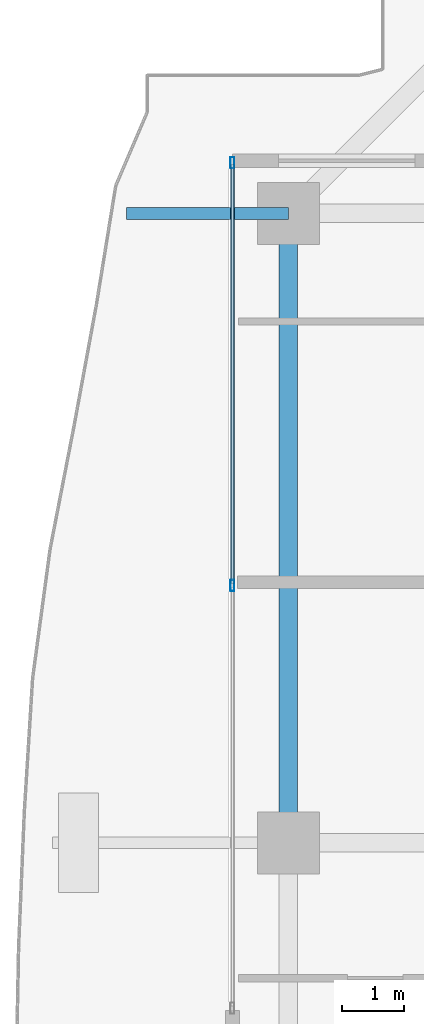
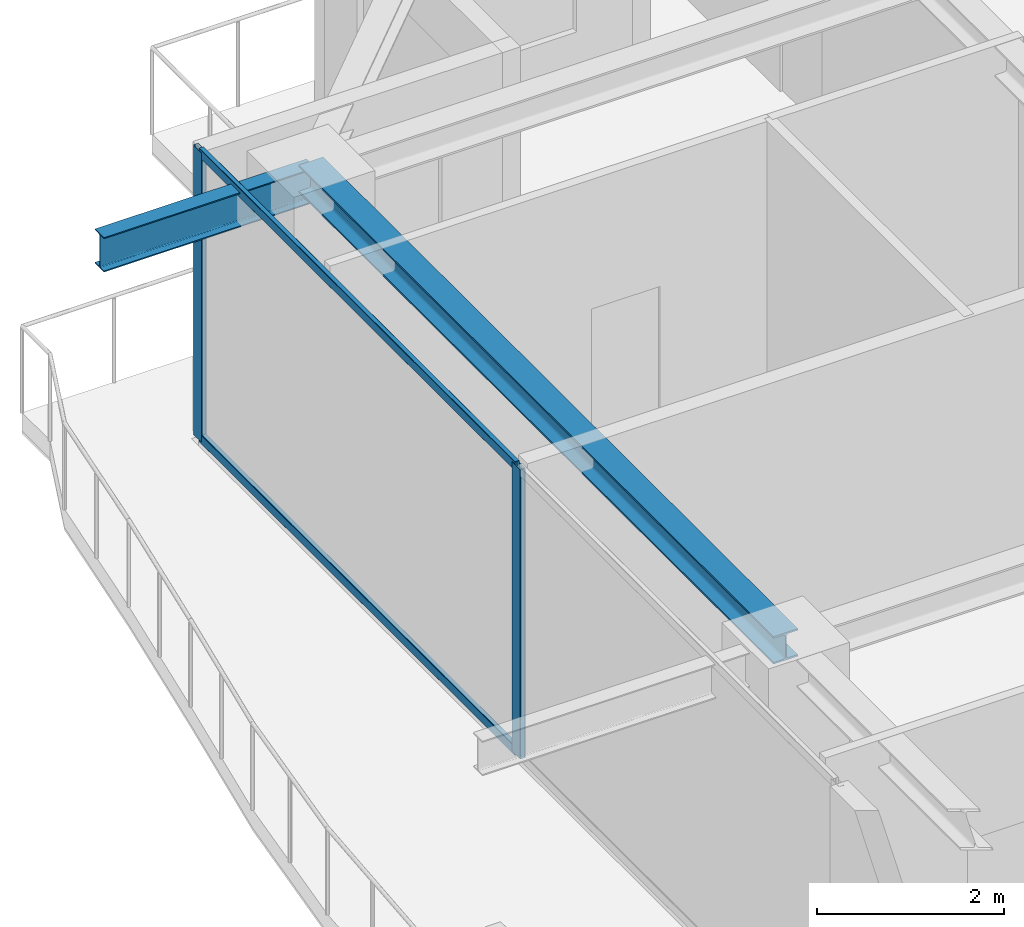
# One storey, part 16 of 37: 4 members, 2 beams, 1 element without a shape of its own.
"""IFC4 building model written with IfcOpenShell, lengths in metres."""

from ifc_helpers import new_model, si_unit, direction, frame, origin, origin_2d, place, context, subcontext, project, spatial, hollow_rectangle, i_section, extrude, source, transform, mapped, material, layer, layer_set, material_profile, profile_set, type_object, element, aggregate, save


model = new_model("IFC4")

# Units and contexts
model_context = context("Model", 3, precision=1e-05, world=origin(), true_north=direction((0.0, 1.0)))
body_context = subcontext(model_context, "Body", "Model", "MODEL_VIEW")
ifc_project = project(units=[si_unit("LENGTHUNIT", "METRE"), si_unit("AREAUNIT", "SQUARE_METRE"), si_unit("VOLUMEUNIT", "CUBIC_METRE"), si_unit("PLANEANGLEUNIT", "RADIAN"), si_unit("MASSUNIT", "GRAM", prefix="KILO")], contexts=[model_context])

# Site, building, storey
site_placement = place(None, origin())
site = spatial("IfcSite", under=ifc_project, at=site_placement, CompositionType="ELEMENT")
building_placement = place(site_placement, origin())
building = spatial("IfcBuilding", under=site, at=building_placement, Name="Serunith Strait Residences", CompositionType="ELEMENT")
storey_placement = place(building_placement, frame((0.0, 0.0, 317.75)))
storey = spatial("IfcBuildingStorey", under=building, at=storey_placement, Name="L79", CompositionType="ELEMENT", Elevation=317.75)

# Beams
ifc_material_1 = material(Name="Steel S355J2", Category="steel")
ifc_material_profile_1 = material_profile(ifc_material_1, i_section(OverallWidth=0.300048828125, OverallDepth=0.360107421875, WebThickness=0.012451171875, FlangeThickness=0.0224609375, FilletRadius=0.027099609375, at=origin_2d()), Name="HEB 360")
ifc_profile_set_1 = profile_set([ifc_material_profile_1], Name="Steel S355J2")
beam_type_1 = type_object("IfcBeamType", Name="BM-HEB360", PredefinedType="BEAM", material=ifc_profile_set_1)
shared_shape_1 = source(origin(), body_context, "Body", "SweptSolid", [
    extrude(i_section(OverallWidth=0.300048828125, OverallDepth=0.360107421875, WebThickness=0.012451171875, FlangeThickness=0.0224609375, FilletRadius=0.027099609375, at=origin_2d()), origin(), (0.0, 0.0, 1.0), 10.150146484375),
])
beam_1_placement = place(storey_placement, frame((10.10009765625, 39.550048828125, 3.60693359375), z_axis=(0.0, -1.0, 0.0), x_axis=(1.0, 0.0, 0.0)))
element("IfcBeam", 1, at=beam_1_placement, inside=storey, type_object=beam_type_1, Name="L79 Perimeter Ring Beam 13", PredefinedType="BEAM", context=body_context, shape_type="MappedRepresentation", body=[
    mapped(shared_shape_1, transform((0.0, 0.0, 0.0), scale=1.0)),
])
ifc_material_profile_2 = material_profile(ifc_material_1, i_section(OverallWidth=0.18994140625, OverallDepth=0.449951171875, WebThickness=0.009521484375, FlangeThickness=0.0146484375, FilletRadius=0.02099609375, at=origin_2d()), Name="IPE 450")
ifc_profile_set_2 = profile_set([ifc_material_profile_2], Name="Steel S355J2")
beam_type_2 = type_object("IfcBeamType", Name="BM-IPE450", PredefinedType="JOIST", material=ifc_profile_set_2)
shared_shape_2 = source(origin(), body_context, "Body", "SweptSolid", [
    extrude(i_section(OverallWidth=0.18994140625, OverallDepth=0.449951171875, WebThickness=0.009521484375, FlangeThickness=0.0146484375, FilletRadius=0.02099609375, at=origin_2d()), origin(), (0.0, 0.0, 1.0), 2.610107421875),
])
beam_2_placement = place(storey_placement, frame((10.10009765625, 39.550048828125, 3.531982421875), z_axis=(-1.0, 0.0, 0.0), x_axis=(0.0, -1.0, 0.0)))
element("IfcBeam", 2, at=beam_2_placement, inside=storey, type_object=beam_type_2, Name="L80 Cantilevered Balcony Rib TC-W4", PredefinedType="JOIST", context=body_context, shape_type="MappedRepresentation", body=[
    mapped(shared_shape_2, transform((0.0, 0.0, 0.0), scale=1.0)),
])

# Curtain wall, members
ifc_material_2 = material(Name="Brushed Stainless-Silver Aluminium", Category="aluminium")
ifc_layer = layer(ifc_material_2, 0.199951171875, Name="Brushed Stainless-Silver Aluminium")
ifc_layer_set = layer_set([ifc_layer], Name="Brushed Stainless-Silver Aluminium")
curtain_wall_type = type_object("IfcCurtainWallType", Name="CW-SYS5", PredefinedType="NOTDEFINED", material=ifc_layer_set)
curtain_wall_placement = place(storey_placement, origin())
curtain_wall = element("IfcCurtainWall", 3, at=curtain_wall_placement, inside=storey, type_object=curtain_wall_type, Name="L79 W Unitised Fritted Curtain Wall", PredefinedType="NOTDEFINED")
ifc_material_profile_3 = material_profile(ifc_material_2, hollow_rectangle(XDim=0.06005859375, YDim=0.1201171875, WallThickness=0.00341796875, InnerFilletRadius=0.00537109375, OuterFilletRadius=0.0087890625, at=origin_2d()), Name="ALU 120x60x3.5")
ifc_profile_set_3 = profile_set([ifc_material_profile_3], Name="Brushed Stainless-Silver Aluminium")
member_type_1 = type_object("IfcMemberType", Name="CW-SYS5-TRAN", PredefinedType="USERDEFINED", material=ifc_profile_set_3)
shared_shape_3 = source(origin(), body_context, "Body", "SweptSolid", [
    extrude(hollow_rectangle(XDim=0.06005859375, YDim=0.1201171875, WallThickness=0.00341796875, InnerFilletRadius=0.00537109375, OuterFilletRadius=0.0087890625, at=origin_2d()), origin(), (0.0, 0.0, 1.0), 6.75244140625),
])
member_1_placement = place(storey_placement, frame((9.199951171875, 40.3349609375, 0.030029296875), z_axis=(0.0, -1.0, 0.0), x_axis=(1.0, 0.0, 0.0)))
member_1 = element("IfcMember", 4, at=member_1_placement, type_object=member_type_1, Name="CW-5 transom 1.1", ObjectType="TRANSOM", PredefinedType="USERDEFINED", context=body_context, shape_type="MappedRepresentation", body=[
    mapped(shared_shape_3, transform((0.0, 0.0, 0.0), scale=1.0)),
])
member_2_placement = place(storey_placement, frame((9.199951171875, 40.3349609375, 3.7451171875), z_axis=(0.0, -1.0, 0.0), x_axis=(1.0, 0.0, 0.0)))
member_2 = element("IfcMember", 5, at=member_2_placement, type_object=member_type_1, Name="CW-5 transom 1.2", ObjectType="TRANSOM", PredefinedType="USERDEFINED", context=body_context, shape_type="MappedRepresentation", body=[
    mapped(shared_shape_3, transform((0.0, 0.0, 0.0), scale=1.0)),
])
ifc_material_profile_4 = material_profile(ifc_material_2, hollow_rectangle(XDim=0.06494140625, YDim=0.179931640625, WallThickness=0.00341796875, InnerFilletRadius=0.00537109375, OuterFilletRadius=0.0087890625, at=origin_2d()), Name="ALU 180x65x3.5")
ifc_profile_set_4 = profile_set([ifc_material_profile_4], Name="Brushed Stainless-Silver Aluminium")
member_type_2 = type_object("IfcMemberType", Name="CW-SYS5-MULL", PredefinedType="MULLION", material=ifc_profile_set_4)
shared_shape_4 = source(origin(), body_context, "Body", "SweptSolid", [
    extrude(hollow_rectangle(XDim=0.06494140625, YDim=0.179931640625, WallThickness=0.00341796875, InnerFilletRadius=0.00537109375, OuterFilletRadius=0.0087890625, at=origin_2d()), origin(), (0.0, 0.0, 1.0), 3.77490234375),
])
member_3_placement = place(storey_placement, frame((9.199951171875, 40.367431640625, 0.0), z_axis=(0.0, 0.0, 1.0), x_axis=(1.0, 0.0, 0.0)))
member_3 = element("IfcMember", 6, at=member_3_placement, type_object=member_type_2, Name="CW-5 mullion 1", PredefinedType="MULLION", context=body_context, shape_type="MappedRepresentation", body=[
    mapped(shared_shape_4, transform((0.0, 0.0, 0.0), scale=1.0)),
])
member_4_placement = place(storey_placement, frame((9.199951171875, 33.550048828125, 0.0), z_axis=(0.0, 0.0, 1.0), x_axis=(1.0, 0.0, 0.0)))
member_4 = element("IfcMember", 7, at=member_4_placement, type_object=member_type_2, Name="CW-5 mullion 2", PredefinedType="MULLION", context=body_context, shape_type="MappedRepresentation", body=[
    mapped(shared_shape_4, transform((0.0, 0.0, 0.0), scale=1.0)),
])
aggregate(curtain_wall, [member_3, member_4, member_1, member_2])

save(model, "model.ifc")
